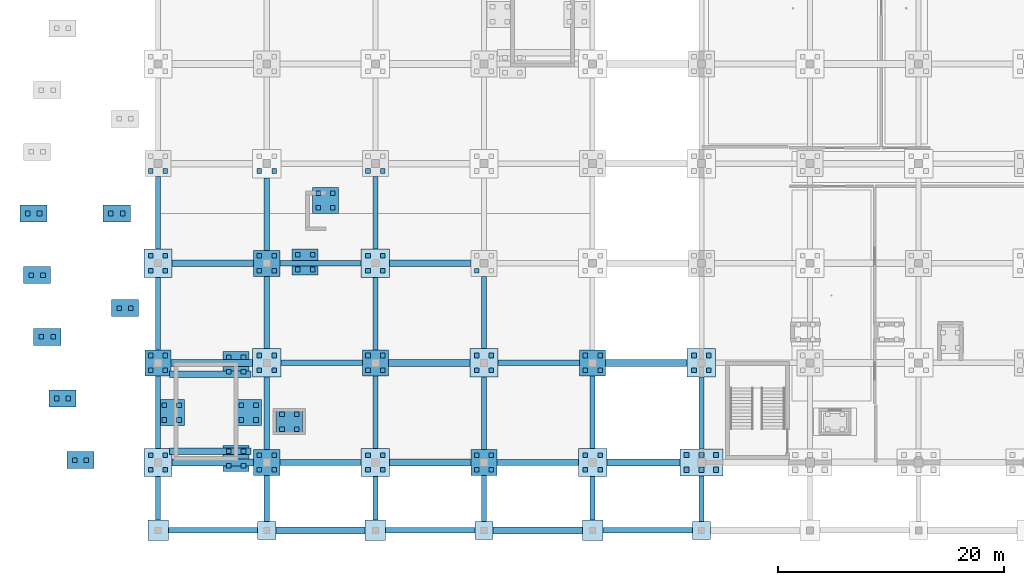
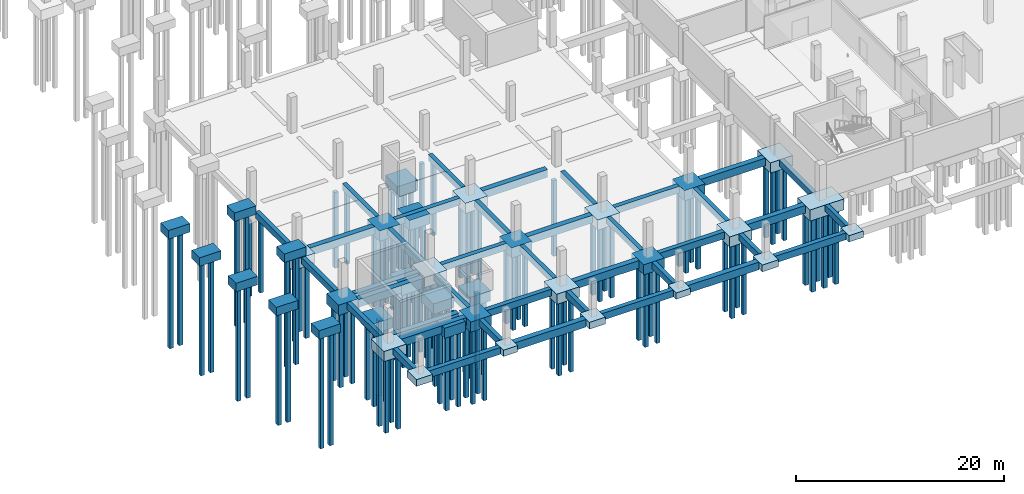
# One storey, part 1 of 31: 111 piles, 74 footings.
"""IFC4 building model written with IfcOpenShell, lengths in metres."""

from ifc_helpers import new_model, si_unit, direction, frame, origin, origin_2d, place, context, subcontext, project, spatial, rectangle, extrude, material, layer, layer_set, material_profile, profile_set, type_object, element, save


model = new_model("IFC4")

# Units and contexts
model_context = context("Model", 3, precision=1e-05, world=origin(), true_north=direction((0.0, 1.0)))
body_context = subcontext(model_context, "Body", "Model", "MODEL_VIEW")
ifc_project = project(units=[si_unit("LENGTHUNIT", "METRE"), si_unit("AREAUNIT", "SQUARE_METRE"), si_unit("VOLUMEUNIT", "CUBIC_METRE"), si_unit("PLANEANGLEUNIT", "RADIAN"), si_unit("MASSUNIT", "GRAM", prefix="KILO")], contexts=[model_context])

# Site, building, storey
site_placement = place(None, origin())
site = spatial("IfcSite", under=ifc_project, at=site_placement, CompositionType="ELEMENT")
building_placement = place(site_placement, origin())
building = spatial("IfcBuilding", under=site, at=building_placement, Name="Chalmorin Arch Market", CompositionType="ELEMENT")
storey_placement = place(building_placement, frame((0.0, 0.0, -4.199951171875)))
storey = spatial("IfcBuildingStorey", under=building, at=storey_placement, Name="B1", CompositionType="ELEMENT", Elevation=-4.199951171875)

# Piles
ifc_material_1 = material(Name="Precast concrete C50/60", Category="concrete")
ifc_material_profile_1 = material_profile(ifc_material_1, rectangle(XDim=0.406005859375, YDim=0.406005859375, at=origin_2d()), Name="PPC406")
ifc_profile_set_1 = profile_set([ifc_material_profile_1], Name="Precast concrete C50/60")
pile_type_1 = type_object("IfcPileType", Name="DrivenSquarePile-406", PredefinedType="DRIVEN", material=ifc_profile_set_1)
for number, where, z_axis, x_axis, name in (
    (1, (-0.64990234375, 5.35009765625, -1.10009765625), (0.0, 0.0, -1.0), (1.0, 0.0, 0.0), "P-406-001"),
    (2, (0.64990234375, 5.35009765625, -1.10009765625), (0.0, 0.0, -1.0), (1.0, 0.0, 0.0), "P-406-002"),
    (3, (-0.64990234375, 6.64990234375, -1.10009765625), (0.0, 0.0, -1.0), (1.0, 0.0, 0.0), "P-406-003"),
    (4, (0.64990234375, 6.64990234375, -1.10009765625), (0.0, 0.0, -1.0), (1.0, 0.0, 0.0), "P-406-004"),
    (5, (-0.64990234375, 14.14990234375, -1.10009765625), (0.0, 0.0, -1.0), (1.0, 0.0, 0.0), "P-406-005"),
    (6, (0.64990234375, 14.14990234375, -1.10009765625), (0.0, 0.0, -1.0), (1.0, 0.0, 0.0), "P-406-006"),
    (7, (-0.64990234375, 15.449951171875, -1.10009765625), (0.0, 0.0, -1.0), (1.0, 0.0, 0.0), "P-406-007"),
    (8, (0.64990234375, 15.449951171875, -1.10009765625), (0.0, 0.0, -1.0), (1.0, 0.0, 0.0), "P-406-008"),
    (9, (-0.64990234375, 22.949951171875, -1.10009765625), (0.0, 0.0, -1.0), (1.0, 0.0, 0.0), "P-406-009"),
    (10, (0.64990234375, 22.949951171875, -1.10009765625), (0.0, 0.0, -1.0), (1.0, 0.0, 0.0), "P-406-010"),
    (11, (-0.64990234375, 24.25, -1.10009765625), (0.0, 0.0, -1.0), (1.0, 0.0, 0.0), "P-406-011"),
    (12, (0.64990234375, 24.25, -1.10009765625), (0.0, 0.0, -1.0), (1.0, 0.0, 0.0), "P-406-012"),
    (13, (-0.64990234375, 31.75, -1.10009765625), (0.0, 0.0, -1.0), (1.0, 0.0, 0.0), "P-406-013"),
    (14, (0.64990234375, 31.75, -1.10009765625), (0.0, 0.0, -1.0), (1.0, 0.0, 0.0), "P-406-014"),
    (15, (8.949951171875, 5.35009765625, -1.10009765625), (0.0, 0.0, -1.0), (1.0, 0.0, 0.0), "P-406-049"),
    (16, (10.25, 5.35009765625, -1.10009765625), (0.0, 0.0, -1.0), (1.0, 0.0, 0.0), "P-406-050"),
    (17, (8.949951171875, 6.64990234375, -1.10009765625), (0.0, 0.0, -1.0), (1.0, 0.0, 0.0), "P-406-051"),
    (18, (10.25, 6.64990234375, -1.10009765625), (0.0, 0.0, -1.0), (1.0, 0.0, 0.0), "P-406-052"),
    (19, (8.949951171875, 14.14990234375, -1.10009765625), (0.0, 0.0, -1.0), (1.0, 0.0, 0.0), "P-406-053"),
    (20, (10.25, 14.14990234375, -1.10009765625), (0.0, 0.0, -1.0), (1.0, 0.0, 0.0), "P-406-054"),
    (21, (8.949951171875, 15.449951171875, -1.10009765625), (0.0, 0.0, -1.0), (1.0, 0.0, 0.0), "P-406-055"),
    (22, (10.25, 15.449951171875, -1.10009765625), (0.0, 0.0, -1.0), (1.0, 0.0, 0.0), "P-406-056"),
    (23, (8.949951171875, 22.949951171875, -1.10009765625), (0.0, 0.0, -1.0), (1.0, 0.0, 0.0), "P-406-057"),
    (24, (10.25, 22.949951171875, -1.10009765625), (0.0, 0.0, -1.0), (1.0, 0.0, 0.0), "P-406-058"),
    (25, (8.949951171875, 24.25, -1.10009765625), (0.0, 0.0, -1.0), (1.0, 0.0, 0.0), "P-406-059"),
    (26, (10.25, 24.25, -1.10009765625), (0.0, 0.0, -1.0), (1.0, 0.0, 0.0), "P-406-060"),
    (27, (8.949951171875, 31.75, -1.10009765625), (0.0, 0.0, -1.0), (1.0, 0.0, 0.0), "P-406-061"),
    (28, (10.25, 31.75, -1.10009765625), (0.0, 0.0, -1.0), (1.0, 0.0, 0.0), "P-406-062"),
    (29, (18.550048828125, 5.35009765625, -1.10009765625), (0.0, 0.0, -1.0), (1.0, 0.0, 0.0), "P-406-097"),
    (30, (19.85009765625, 5.35009765625, -1.10009765625), (0.0, 0.0, -1.0), (1.0, 0.0, 0.0), "P-406-098"),
    (31, (18.550048828125, 6.64990234375, -1.10009765625), (0.0, 0.0, -1.0), (1.0, 0.0, 0.0), "P-406-099"),
    (32, (19.85009765625, 6.64990234375, -1.10009765625), (0.0, 0.0, -1.0), (1.0, 0.0, 0.0), "P-406-100"),
    (33, (18.550048828125, 14.14990234375, -1.10009765625), (0.0, 0.0, -1.0), (1.0, 0.0, 0.0), "P-406-101"),
    (34, (19.85009765625, 14.14990234375, -1.10009765625), (0.0, 0.0, -1.0), (1.0, 0.0, 0.0), "P-406-102"),
    (35, (18.550048828125, 15.449951171875, -1.10009765625), (0.0, 0.0, -1.0), (1.0, 0.0, 0.0), "P-406-103"),
    (36, (19.85009765625, 15.449951171875, -1.10009765625), (0.0, 0.0, -1.0), (1.0, 0.0, 0.0), "P-406-104"),
    (37, (18.550048828125, 22.949951171875, -1.10009765625), (0.0, 0.0, -1.0), (1.0, 0.0, 0.0), "P-406-105"),
    (38, (19.85009765625, 22.949951171875, -1.10009765625), (0.0, 0.0, -1.0), (1.0, 0.0, 0.0), "P-406-106"),
    (39, (18.550048828125, 24.25, -1.10009765625), (0.0, 0.0, -1.0), (1.0, 0.0, 0.0), "P-406-107"),
    (40, (19.85009765625, 24.25, -1.10009765625), (0.0, 0.0, -1.0), (1.0, 0.0, 0.0), "P-406-108"),
    (41, (18.550048828125, 31.75, -1.10009765625), (0.0, 0.0, -1.0), (1.0, 0.0, 0.0), "P-406-109"),
    (42, (19.85009765625, 31.75, -1.10009765625), (0.0, 0.0, -1.0), (1.0, 0.0, 0.0), "P-406-110"),
    (43, (28.14990234375, 5.35009765625, -1.10009765625), (0.0, 0.0, -1.0), (1.0, 0.0, 0.0), "P-406-145"),
    (44, (29.449951171875, 5.35009765625, -1.10009765625), (0.0, 0.0, -1.0), (1.0, 0.0, 0.0), "P-406-146"),
    (45, (28.14990234375, 6.64990234375, -1.10009765625), (0.0, 0.0, -1.0), (1.0, 0.0, 0.0), "P-406-147"),
    (46, (29.449951171875, 6.64990234375, -1.10009765625), (0.0, 0.0, -1.0), (1.0, 0.0, 0.0), "P-406-148"),
    (47, (28.14990234375, 14.14990234375, -1.10009765625), (0.0, 0.0, -1.0), (1.0, 0.0, 0.0), "P-406-149"),
    (48, (29.449951171875, 14.14990234375, -1.10009765625), (0.0, 0.0, -1.0), (1.0, 0.0, 0.0), "P-406-150"),
    (49, (28.14990234375, 15.449951171875, -1.10009765625), (0.0, 0.0, -1.0), (1.0, 0.0, 0.0), "P-406-151"),
    (50, (29.449951171875, 15.449951171875, -1.10009765625), (0.0, 0.0, -1.0), (1.0, 0.0, 0.0), "P-406-152"),
    (51, (28.14990234375, 22.949951171875, -1.10009765625), (0.0, 0.0, -1.0), (1.0, 0.0, 0.0), "P-406-153"),
    (52, (37.75, 5.35009765625, -1.10009765625), (0.0, 0.0, -1.0), (1.0, 0.0, 0.0), "P-406-193"),
    (53, (39.050048828125, 5.35009765625, -1.10009765625), (0.0, 0.0, -1.0), (1.0, 0.0, 0.0), "P-406-194"),
    (54, (37.75, 6.64990234375, -1.10009765625), (0.0, 0.0, -1.0), (1.0, 0.0, 0.0), "P-406-195"),
    (55, (39.050048828125, 6.64990234375, -1.10009765625), (0.0, 0.0, -1.0), (1.0, 0.0, 0.0), "P-406-196"),
    (56, (37.75, 14.14990234375, -1.10009765625), (0.0, 0.0, -1.0), (1.0, 0.0, 0.0), "P-406-197"),
    (57, (39.050048828125, 14.14990234375, -1.10009765625), (0.0, 0.0, -1.0), (1.0, 0.0, 0.0), "P-406-198"),
    (58, (37.75, 15.449951171875, -1.10009765625), (0.0, 0.0, -1.0), (1.0, 0.0, 0.0), "P-406-199"),
    (59, (39.050048828125, 15.449951171875, -1.10009765625), (0.0, 0.0, -1.0), (1.0, 0.0, 0.0), "P-406-200"),
    (60, (47.35009765625, 14.14990234375, -1.10009765625), (0.0, 0.0, -1.0), (1.0, 0.0, 0.0), "P-406-247"),
    (61, (48.64990234375, 14.14990234375, -1.10009765625), (0.0, 0.0, -1.0), (1.0, 0.0, 0.0), "P-406-248"),
    (62, (47.35009765625, 15.449951171875, -1.10009765625), (0.0, 0.0, -1.0), (1.0, 0.0, 0.0), "P-406-249"),
    (63, (48.64990234375, 15.449951171875, -1.10009765625), (0.0, 0.0, -1.0), (1.0, 0.0, 0.0), "P-406-250"),
    (64, (0.550048828125, 9.75, -1.10009765625), (0.0, 0.0, -1.0), (1.0, 0.0, 0.0), "P-406-735"),
    (65, (1.85009765625, 9.75, -1.10009765625), (0.0, 0.0, -1.0), (1.0, 0.0, 0.0), "P-406-736"),
    (66, (0.550048828125, 11.050048828125, -1.10009765625), (0.0, 0.0, -1.0), (1.0, 0.0, 0.0), "P-406-737"),
    (67, (1.85009765625, 11.050048828125, -1.10009765625), (0.0, 0.0, -1.0), (1.0, 0.0, 0.0), "P-406-738"),
    (68, (7.35009765625, 9.75, -1.10009765625), (0.0, 0.0, -1.0), (1.0, 0.0, 0.0), "P-406-739"),
    (69, (8.64990234375, 9.75, -1.10009765625), (0.0, 0.0, -1.0), (1.0, 0.0, 0.0), "P-406-740"),
    (70, (7.35009765625, 11.050048828125, -1.10009765625), (0.0, 0.0, -1.0), (1.0, 0.0, 0.0), "P-406-741"),
    (71, (8.64990234375, 11.050048828125, -1.10009765625), (0.0, 0.0, -1.0), (1.0, 0.0, 0.0), "P-406-742"),
    (72, (10.949951171875, 8.949951171875, -1.10009765625), (0.0, 0.0, -1.0), (1.0, 0.0, 0.0), "P-406-751"),
    (73, (12.25, 8.949951171875, -1.10009765625), (0.0, 0.0, -1.0), (1.0, 0.0, 0.0), "P-406-752"),
    (74, (10.949951171875, 10.25, -1.10009765625), (0.0, 0.0, -1.0), (1.0, 0.0, 0.0), "P-406-753"),
    (75, (12.25, 10.25, -1.10009765625), (0.0, 0.0, -1.0), (1.0, 0.0, 0.0), "P-406-754"),
    (76, (12.35009765625, 23.050048828125, -1.10009765625), (0.0, 0.0, -1.0), (1.0, 0.0, 0.0), "P-406-755"),
    (77, (13.64990234375, 23.050048828125, -1.10009765625), (0.0, 0.0, -1.0), (1.0, 0.0, 0.0), "P-406-756"),
    (78, (12.35009765625, 24.35009765625, -1.10009765625), (0.0, 0.0, -1.0), (1.0, 0.0, 0.0), "P-406-757"),
    (79, (13.64990234375, 24.35009765625, -1.10009765625), (0.0, 0.0, -1.0), (1.0, 0.0, 0.0), "P-406-758"),
    (80, (14.14990234375, 28.5, -1.10009765625), (0.0, 0.0, -1.0), (1.0, 0.0, 0.0), "P-406-759"),
    (81, (15.449951171875, 28.5, -1.10009765625), (0.0, 0.0, -1.0), (1.0, 0.0, 0.0), "P-406-760"),
    (82, (14.14990234375, 29.800048828125, -1.10009765625), (0.0, 0.0, -1.0), (1.0, 0.0, 0.0), "P-406-761"),
    (83, (15.449951171875, 29.800048828125, -1.10009765625), (0.0, 0.0, -1.0), (1.0, 0.0, 0.0), "P-406-762"),
):
    element("IfcPile", number, at=place(storey_placement, frame(where, z_axis=z_axis, x_axis=x_axis)), inside=storey, type_object=pile_type_1, Name=name, PredefinedType="DRIVEN", context=body_context, shape_type="SweptSolid", body=[
        extrude(rectangle(XDim=0.406005859375, YDim=0.406005859375, at=origin_2d()), origin(), (0.0, 0.0, 1.0), 8.89990234375),
    ])
for number, where, z_axis, x_axis, name in (
    (84, (-3.444091796875, 19.639892578125, 2.97998046875), (0.0, 0.0, -1.0), (1.0, 0.0, 0.0), "P-406-791"),
    (85, (-2.404052734375, 19.639892578125, 2.97998046875), (0.0, 0.0, -1.0), (1.0, 0.0, 0.0), "P-406-792"),
    (86, (-4.169921875, 28.0, 2.97998046875), (0.0, 0.0, -1.0), (1.0, 0.0, 0.0), "P-406-795"),
    (87, (-3.1298828125, 28.0, 2.97998046875), (0.0, 0.0, -1.0), (1.0, 0.0, 0.0), "P-406-796"),
):
    element("IfcPile", number, at=place(storey_placement, frame(where, z_axis=z_axis, x_axis=x_axis)), inside=storey, type_object=pile_type_1, Name=name, PredefinedType="DRIVEN", context=body_context, shape_type="SweptSolid", body=[
        extrude(rectangle(XDim=0.406005859375, YDim=0.406005859375, at=origin_2d()), origin(), (0.0, 0.0, 1.0), 12.97998046875),
    ])
for number, where, z_axis, x_axis, name in (
    (88, (-7.3798828125, 6.199951171875, 3.47998046875), (0.0, 0.0, -1.0), (1.0, 0.0, 0.0), "P-406-879"),
    (89, (-6.340087890625, 6.199951171875, 3.47998046875), (0.0, 0.0, -1.0), (1.0, 0.0, 0.0), "P-406-880"),
    (90, (-8.968994140625, 11.64990234375, 3.47998046875), (0.0, 0.0, -1.0), (1.0, 0.0, 0.0), "P-406-881"),
    (91, (-7.928955078125, 11.64990234375, 3.47998046875), (0.0, 0.0, -1.0), (1.0, 0.0, 0.0), "P-406-882"),
    (92, (-10.31103515625, 17.10009765625, 3.47998046875), (0.0, 0.0, -1.0), (1.0, 0.0, 0.0), "P-406-883"),
    (93, (-9.27099609375, 17.10009765625, 3.47998046875), (0.0, 0.0, -1.0), (1.0, 0.0, 0.0), "P-406-884"),
    (94, (-11.2060546875, 22.550048828125, 3.47998046875), (0.0, 0.0, -1.0), (1.0, 0.0, 0.0), "P-406-885"),
    (95, (-10.166015625, 22.550048828125, 3.47998046875), (0.0, 0.0, -1.0), (1.0, 0.0, 0.0), "P-406-886"),
    (96, (-11.52001953125, 28.0, 3.47998046875), (0.0, 0.0, -1.0), (1.0, 0.0, 0.0), "P-406-887"),
    (97, (-10.47998046875, 28.0, 3.47998046875), (0.0, 0.0, -1.0), (1.0, 0.0, 0.0), "P-406-888"),
):
    element("IfcPile", number, at=place(storey_placement, frame(where, z_axis=z_axis, x_axis=x_axis)), inside=storey, type_object=pile_type_1, Name=name, PredefinedType="DRIVEN", context=body_context, shape_type="SweptSolid", body=[
        extrude(rectangle(XDim=0.406005859375, YDim=0.406005859375, at=origin_2d()), origin(), (0.0, 0.0, 1.0), 13.47998046875),
    ])
for number, where, z_axis, x_axis, name in (
    (98, (6.25, 5.699951171875, -1.10009765625), (0.0, 0.0, -1.0), (1.0, 0.0, 0.0), "P-406-921"),
    (99, (7.550048828125, 5.699951171875, -1.10009765625), (0.0, 0.0, -1.0), (1.0, 0.0, 0.0), "P-406-922"),
    (100, (6.25, 7.0, -1.10009765625), (0.0, 0.0, -1.0), (1.0, 0.0, 0.0), "P-406-923"),
    (101, (7.550048828125, 7.0, -1.10009765625), (0.0, 0.0, -1.0), (1.0, 0.0, 0.0), "P-406-924"),
    (102, (6.25, 14.0, -1.10009765625), (0.0, 0.0, -1.0), (1.0, 0.0, 0.0), "P-406-925"),
    (103, (7.550048828125, 14.0, -1.10009765625), (0.0, 0.0, -1.0), (1.0, 0.0, 0.0), "P-406-926"),
    (104, (6.25, 15.300048828125, -1.10009765625), (0.0, 0.0, -1.0), (1.0, 0.0, 0.0), "P-406-927"),
    (105, (7.550048828125, 15.300048828125, -1.10009765625), (0.0, 0.0, -1.0), (1.0, 0.0, 0.0), "P-406-928"),
):
    element("IfcPile", number, at=place(storey_placement, frame(where, z_axis=z_axis, x_axis=x_axis)), inside=storey, type_object=pile_type_1, Name=name, PredefinedType="DRIVEN", context=body_context, shape_type="SweptSolid", body=[
        extrude(rectangle(XDim=0.406005859375, YDim=0.406005859375, at=origin_2d()), origin(), (0.0, 0.0, 1.0), 8.89990234375),
    ])
ifc_material_profile_2 = material_profile(ifc_material_1, rectangle(XDim=0.45703125, YDim=0.45703125, at=origin_2d()), Name="PPC457")
ifc_profile_set_2 = profile_set([ifc_material_profile_2], Name="Precast concrete C50/60")
pile_type_2 = type_object("IfcPileType", Name="DrivenSquarePile-457", PredefinedType="DRIVEN", material=ifc_profile_set_2)
for number, where, z_axis, x_axis, name in (
    (106, (46.699951171875, 5.35009765625, -1.199951171875), (0.0, 0.0, -1.0), (1.0, 0.0, 0.0), "P-457-241"),
    (107, (48.0, 5.35009765625, -1.199951171875), (0.0, 0.0, -1.0), (1.0, 0.0, 0.0), "P-457-242"),
    (108, (49.300048828125, 5.35009765625, -1.199951171875), (0.0, 0.0, -1.0), (1.0, 0.0, 0.0), "P-457-243"),
    (109, (46.699951171875, 6.64990234375, -1.199951171875), (0.0, 0.0, -1.0), (1.0, 0.0, 0.0), "P-457-244"),
    (110, (48.0, 6.64990234375, -1.199951171875), (0.0, 0.0, -1.0), (1.0, 0.0, 0.0), "P-457-245"),
    (111, (49.300048828125, 6.64990234375, -1.199951171875), (0.0, 0.0, -1.0), (1.0, 0.0, 0.0), "P-457-246"),
):
    element("IfcPile", number, at=place(storey_placement, frame(where, z_axis=z_axis, x_axis=x_axis)), inside=storey, type_object=pile_type_2, Name=name, PredefinedType="DRIVEN", context=body_context, shape_type="SweptSolid", body=[
        extrude(rectangle(XDim=0.45703125, YDim=0.45703125, at=origin_2d()), origin(), (0.0, 0.0, 1.0), 8.800048828125),
    ])

# Footings
ifc_material_2 = material(Name="Concrete C40/50", Category="concrete")
ifc_layer_1 = layer(ifc_material_2, 0.75)
ifc_layer_set_1 = layer_set([ifc_layer_1], Name="Concrete C40/50")
footing_type_1 = type_object("IfcFootingType", Name="FoundationTieBeam-450x750-L3850", PredefinedType="FOOTING_BEAM", material=ifc_layer_set_1)
for number, where, z_axis, x_axis, name in (
    (112, (0.0, 2.824951171875, -0.75), (0.0, 0.0, 1.0), (0.0, 1.0, 0.0), "FTB-03-178"),
    (113, (19.199951171875, 2.824951171875, -0.75), (0.0, 0.0, 1.0), (0.0, 1.0, 0.0), "FTB-03-200"),
    (114, (38.39990234375, 2.824951171875, -0.75), (0.0, 0.0, 1.0), (0.0, 1.0, 0.0), "FTB-03-222"),
):
    element("IfcFooting", number, at=place(storey_placement, frame(where, z_axis=z_axis, x_axis=x_axis)), inside=storey, type_object=footing_type_1, Name=name, PredefinedType="FOOTING_BEAM", context=body_context, shape_type="SweptSolid", body=[
        extrude(rectangle(XDim=3.85009765625, YDim=0.449951171875, at=origin_2d()), origin(), (0.0, 0.0, 1.0), 0.75),
    ])
ifc_layer_2 = layer(ifc_material_2, 0.75)
ifc_layer_set_2 = layer_set([ifc_layer_2], Name="Concrete C40/50")
footing_type_2 = type_object("IfcFootingType", Name="FoundationTieBeam-450x750-L4000", PredefinedType="FOOTING_BEAM", material=ifc_layer_set_2)
footing_1_placement = place(storey_placement, frame((48.0, 2.800048828125, -0.75), z_axis=(0.0, 0.0, 1.0), x_axis=(0.0, 1.0, 0.0)))
element("IfcFooting", 115, at=footing_1_placement, inside=storey, type_object=footing_type_2, Name="FTB-03-233", PredefinedType="FOOTING_BEAM", context=body_context, shape_type="SweptSolid", body=[
    extrude(rectangle(XDim=4.0, YDim=0.449951171875, at=origin_2d()), origin(), (0.0, 0.0, 1.0), 0.75),
])
ifc_layer_3 = layer(ifc_material_2, 0.75)
ifc_layer_set_3 = layer_set([ifc_layer_3], Name="Concrete C40/50")
footing_type_3 = type_object("IfcFootingType", Name="FoundationTieBeam-450x750-L4050", PredefinedType="FOOTING_BEAM", material=ifc_layer_set_3)
for number, where, z_axis, x_axis, name in (
    (116, (9.60009765625, 2.824951171875, -0.75), (0.0, 0.0, 1.0), (0.0, 1.0, 0.0), "FTB-03-189"),
    (117, (28.800048828125, 2.824951171875, -0.75), (0.0, 0.0, 1.0), (0.0, 1.0, 0.0), "FTB-03-211"),
):
    element("IfcFooting", number, at=place(storey_placement, frame(where, z_axis=z_axis, x_axis=x_axis)), inside=storey, type_object=footing_type_3, Name=name, PredefinedType="FOOTING_BEAM", context=body_context, shape_type="SweptSolid", body=[
        extrude(rectangle(XDim=4.050048828125, YDim=0.449951171875, at=origin_2d()), origin(), (0.0, 0.0, 1.0), 0.75),
    ])
ifc_layer_4 = layer(ifc_material_2, 0.75)
ifc_layer_set_4 = layer_set([ifc_layer_4], Name="Concrete C40/50")
footing_type_4 = type_object("IfcFootingType", Name="FoundationTieBeam-450x750-L6350", PredefinedType="FOOTING_BEAM", material=ifc_layer_set_4)
footing_2_placement = place(storey_placement, frame((48.0, 10.375, -0.75), z_axis=(0.0, 0.0, 1.0), x_axis=(0.0, 1.0, 0.0)))
element("IfcFooting", 118, at=footing_2_placement, inside=storey, type_object=footing_type_4, Name="FTB-03-234", PredefinedType="FOOTING_BEAM", context=body_context, shape_type="SweptSolid", body=[
    extrude(rectangle(XDim=6.35009765625, YDim=0.449951171875, at=origin_2d()), origin(), (0.0, 0.0, 1.0), 0.75),
])
ifc_layer_5 = layer(ifc_material_2, 0.75)
ifc_layer_set_5 = layer_set([ifc_layer_5], Name="Concrete C40/50")
footing_type_5 = type_object("IfcFootingType", Name="FoundationTieBeam-450x750-L6400", PredefinedType="FOOTING_BEAM", material=ifc_layer_set_5)
for number, where, z_axis, x_axis, name in (
    (119, (0.0, 10.449951171875, -0.75), (0.0, 0.0, 1.0), (0.0, 1.0, 0.0), "FTB-03-179"),
    (120, (0.0, 19.14990234375, -0.75), (0.0, 0.0, 1.0), (0.0, 1.0, 0.0), "FTB-03-180"),
    (121, (0.0, 28.050048828125, -0.75), (0.0, 0.0, 1.0), (0.0, 1.0, 0.0), "FTB-03-181"),
    (122, (9.60009765625, 10.35009765625, -0.75), (0.0, 0.0, 1.0), (0.0, 1.0, 0.0), "FTB-03-190"),
    (123, (9.60009765625, 19.25, -0.75), (0.0, 0.0, 1.0), (0.0, 1.0, 0.0), "FTB-03-191"),
    (124, (9.60009765625, 27.949951171875, -0.75), (0.0, 0.0, 1.0), (0.0, 1.0, 0.0), "FTB-03-192"),
    (125, (19.199951171875, 10.449951171875, -0.75), (0.0, 0.0, 1.0), (0.0, 1.0, 0.0), "FTB-03-201"),
    (126, (19.199951171875, 19.14990234375, -0.75), (0.0, 0.0, 1.0), (0.0, 1.0, 0.0), "FTB-03-202"),
    (127, (19.199951171875, 28.050048828125, -0.75), (0.0, 0.0, 1.0), (0.0, 1.0, 0.0), "FTB-03-203"),
    (128, (28.800048828125, 10.35009765625, -0.75), (0.0, 0.0, 1.0), (0.0, 1.0, 0.0), "FTB-03-212"),
    (129, (28.800048828125, 19.25, -0.75), (0.0, 0.0, 1.0), (0.0, 1.0, 0.0), "FTB-03-213"),
    (130, (38.39990234375, 10.449951171875, -0.75), (0.0, 0.0, 1.0), (0.0, 1.0, 0.0), "FTB-03-223"),
):
    element("IfcFooting", number, at=place(storey_placement, frame(where, z_axis=z_axis, x_axis=x_axis)), inside=storey, type_object=footing_type_5, Name=name, PredefinedType="FOOTING_BEAM", context=body_context, shape_type="SweptSolid", body=[
        extrude(rectangle(XDim=6.39990234375, YDim=0.449951171875, at=origin_2d()), origin(), (0.0, 0.0, 1.0), 0.75),
    ])
ifc_layer_6 = layer(ifc_material_2, 0.800048828125)
ifc_layer_set_6 = layer_set([ifc_layer_6], Name="Concrete C40/50")
footing_type_6 = type_object("IfcFootingType", Name="FoundationTieBeam-500x800-L7200", PredefinedType="FOOTING_BEAM", material=ifc_layer_set_6)
for number, where, z_axis, x_axis, name in (
    (131, (14.35009765625, 6.0, -0.80029296875), (0.0, 0.0, 1.0), (1.0, 0.0, 0.0), "FTB-02-015"),
    (132, (33.550048828125, 6.0, -0.80029296875), (0.0, 0.0, 1.0), (1.0, 0.0, 0.0), "FTB-02-017"),
    (133, (14.449951171875, 14.800048828125, -0.80029296875), (0.0, 0.0, 1.0), (1.0, 0.0, 0.0), "FTB-02-029"),
    (134, (33.64990234375, 14.800048828125, -0.80029296875), (0.0, 0.0, 1.0), (1.0, 0.0, 0.0), "FTB-02-031"),
    (135, (14.35009765625, 23.60009765625, -0.80029296875), (0.0, 0.0, 1.0), (1.0, 0.0, 0.0), "FTB-02-043"),
):
    element("IfcFooting", number, at=place(storey_placement, frame(where, z_axis=z_axis, x_axis=x_axis)), inside=storey, type_object=footing_type_6, Name=name, PredefinedType="FOOTING_BEAM", context=body_context, shape_type="SweptSolid", body=[
        extrude(rectangle(XDim=7.199951171875, YDim=0.5, at=origin_2d()), origin(), (0.0, 0.0, 1.0), 0.800048828125),
    ])
ifc_layer_7 = layer(ifc_material_2, 0.800048828125)
ifc_layer_set_7 = layer_set([ifc_layer_7], Name="Concrete C40/50")
footing_type_7 = type_object("IfcFootingType", Name="FoundationTieBeam-500x800-L7900", PredefinedType="FOOTING_BEAM", material=ifc_layer_set_7)
for number, where, z_axis, x_axis, name in (
    (136, (4.85009765625, 0.0, -0.80029296875), (0.0, 0.0, 1.0), (1.0, 0.0, 0.0), "FTB-02-001"),
    (137, (24.050048828125, 0.0, -0.80029296875), (0.0, 0.0, 1.0), (1.0, 0.0, 0.0), "FTB-02-003"),
    (138, (43.25, 0.0, -0.80029296875), (0.0, 0.0, 1.0), (1.0, 0.0, 0.0), "FTB-02-005"),
):
    element("IfcFooting", number, at=place(storey_placement, frame(where, z_axis=z_axis, x_axis=x_axis)), inside=storey, type_object=footing_type_7, Name=name, PredefinedType="FOOTING_BEAM", context=body_context, shape_type="SweptSolid", body=[
        extrude(rectangle(XDim=7.89990234375, YDim=0.5, at=origin_2d()), origin(), (0.0, 0.0, 1.0), 0.800048828125),
    ])
ifc_layer_8 = layer(ifc_material_2, 0.89990234375)
ifc_layer_set_8 = layer_set([ifc_layer_8], Name="Concrete C40/50")
footing_type_8 = type_object("IfcFootingType", Name="FoundationTieBeam-600x900-L6450", PredefinedType="FOOTING_BEAM", material=ifc_layer_set_8)
footing_3_placement = place(storey_placement, frame((42.875, 6.0, -0.89990234375), z_axis=(0.0, 0.0, 1.0), x_axis=(1.0, 0.0, 0.0)))
element("IfcFooting", 139, at=footing_3_placement, inside=storey, type_object=footing_type_8, Name="FTB-01-018", PredefinedType="FOOTING_BEAM", context=body_context, shape_type="SweptSolid", body=[
    extrude(rectangle(XDim=6.449951171875, YDim=0.60009765625, at=origin_2d()), origin(), (0.0, 0.0, 1.0), 0.89990234375),
])
ifc_layer_9 = layer(ifc_material_2, 0.89990234375)
ifc_layer_set_9 = layer_set([ifc_layer_9], Name="Concrete C40/50")
footing_type_9 = type_object("IfcFootingType", Name="FoundationTieBeam-600x900-L7200", PredefinedType="FOOTING_BEAM", material=ifc_layer_set_9)
for number, where, z_axis, x_axis, name in (
    (140, (4.85009765625, 6.0, -0.89990234375), (0.0, 0.0, 1.0), (1.0, 0.0, 0.0), "FTB-01-014"),
    (141, (24.050048828125, 6.0, -0.89990234375), (0.0, 0.0, 1.0), (1.0, 0.0, 0.0), "FTB-01-016"),
    (142, (4.75, 14.800048828125, -0.89990234375), (0.0, 0.0, 1.0), (1.0, 0.0, 0.0), "FTB-01-028"),
    (143, (23.949951171875, 14.800048828125, -0.89990234375), (0.0, 0.0, 1.0), (1.0, 0.0, 0.0), "FTB-01-030"),
    (144, (43.14990234375, 14.800048828125, -0.89990234375), (0.0, 0.0, 1.0), (1.0, 0.0, 0.0), "FTB-01-032"),
    (145, (4.85009765625, 23.60009765625, -0.89990234375), (0.0, 0.0, 1.0), (1.0, 0.0, 0.0), "FTB-01-042"),
    (146, (24.050048828125, 23.60009765625, -0.89990234375), (0.0, 0.0, 1.0), (1.0, 0.0, 0.0), "FTB-01-044"),
    (147, (4.60009765625, 7.0, -0.89990234375), (0.0, 0.0, 1.0), (1.0, 0.0, 0.0), "FTB-01-352"),
    (148, (4.60009765625, 13.800048828125, -0.89990234375), (0.0, 0.0, 1.0), (1.0, 0.0, 0.0), "FTB-01-353"),
):
    element("IfcFooting", number, at=place(storey_placement, frame(where, z_axis=z_axis, x_axis=x_axis)), inside=storey, type_object=footing_type_9, Name=name, PredefinedType="FOOTING_BEAM", context=body_context, shape_type="SweptSolid", body=[
        extrude(rectangle(XDim=7.199951171875, YDim=0.60009765625, at=origin_2d()), origin(), (0.0, 0.0, 1.0), 0.89990234375),
    ])
ifc_layer_10 = layer(ifc_material_2, 0.89990234375)
ifc_layer_set_10 = layer_set([ifc_layer_10], Name="Concrete C40/50")
footing_type_10 = type_object("IfcFootingType", Name="FoundationTieBeam-600x900-L7900", PredefinedType="FOOTING_BEAM", material=ifc_layer_set_10)
for number, where, z_axis, x_axis, name in (
    (149, (14.35009765625, 0.0, -0.89990234375), (0.0, 0.0, 1.0), (1.0, 0.0, 0.0), "FTB-01-002"),
    (150, (33.550048828125, 0.0, -0.89990234375), (0.0, 0.0, 1.0), (1.0, 0.0, 0.0), "FTB-01-004"),
):
    element("IfcFooting", number, at=place(storey_placement, frame(where, z_axis=z_axis, x_axis=x_axis)), inside=storey, type_object=footing_type_10, Name=name, PredefinedType="FOOTING_BEAM", context=body_context, shape_type="SweptSolid", body=[
        extrude(rectangle(XDim=7.89990234375, YDim=0.60009765625, at=origin_2d()), origin(), (0.0, 0.0, 1.0), 0.89990234375),
    ])
ifc_layer_11 = layer(ifc_material_2, 1.199951171875)
ifc_layer_set_11 = layer_set([ifc_layer_11], Name="Concrete C40/50")
footing_type_11 = type_object("IfcFootingType", Name="MultiPileCap-2300x2300x1200", PredefinedType="PILE_CAP", material=ifc_layer_set_11)
for number, where, z_axis, x_axis, name in (
    (151, (0.0, 14.800048828125, -1.2001953125), (0.0, 0.0, 1.0), (1.0, 0.0, 0.0), "PC-02-003"),
    (152, (9.60009765625, 6.0, -1.2001953125), (0.0, 0.0, 1.0), (1.0, 0.0, 0.0), "PC-02-015"),
    (153, (9.60009765625, 23.60009765625, -1.2001953125), (0.0, 0.0, 1.0), (1.0, 0.0, 0.0), "PC-02-017"),
    (154, (19.199951171875, 14.800048828125, -1.2001953125), (0.0, 0.0, 1.0), (1.0, 0.0, 0.0), "PC-02-029"),
    (155, (28.800048828125, 6.0, -1.2001953125), (0.0, 0.0, 1.0), (1.0, 0.0, 0.0), "PC-02-041"),
    (156, (38.39990234375, 14.800048828125, -1.2001953125), (0.0, 0.0, 1.0), (1.0, 0.0, 0.0), "PC-02-055"),
    (157, (1.199951171875, 10.39990234375, -1.2001953125), (0.0, 0.0, 1.0), (1.0, 0.0, 0.0), "PC-02-193"),
    (158, (8.0, 10.39990234375, -1.2001953125), (0.0, 0.0, 1.0), (1.0, 0.0, 0.0), "PC-02-194"),
    (159, (11.60009765625, 9.60009765625, -1.2001953125), (0.0, 0.0, 1.0), (1.0, 0.0, 0.0), "PC-02-197"),
    (160, (13.0, 23.699951171875, -1.2001953125), (0.0, 0.0, 1.0), (1.0, 0.0, 0.0), "PC-02-198"),
    (161, (14.800048828125, 29.14990234375, -1.2001953125), (0.0, 0.0, 1.0), (1.0, 0.0, 0.0), "PC-02-199"),
    (162, (6.89990234375, 6.35009765625, -1.2001953125), (0.0, 0.0, 1.0), (1.0, 0.0, 0.0), "PC-02-270"),
    (163, (6.89990234375, 14.64990234375, -1.2001953125), (0.0, 0.0, 1.0), (1.0, 0.0, 0.0), "PC-02-271"),
):
    element("IfcFooting", number, at=place(storey_placement, frame(where, z_axis=z_axis, x_axis=x_axis)), inside=storey, type_object=footing_type_11, Name=name, PredefinedType="PILE_CAP", context=body_context, shape_type="SweptSolid", body=[
        extrude(rectangle(XDim=2.300048828125, YDim=2.300048828125, at=origin_2d()), origin(), (0.0, 0.0, 1.0), 1.199951171875),
    ])
ifc_layer_12 = layer(ifc_material_2, 1.0)
ifc_layer_set_12 = layer_set([ifc_layer_12], Name="Concrete C40/50")
footing_type_12 = type_object("IfcFootingType", Name="MultiPileCap-2400x1500x1000", PredefinedType="PILE_CAP", material=ifc_layer_set_12)
for number, where, z_axis, x_axis, name in (
    (164, (-2.924072265625, 19.639892578125, 2.8798828125), (0.0, 0.0, 1.0), (1.0, 0.0, 0.0), "PC-05-207"),
    (165, (-3.64990234375, 28.0, 2.8798828125), (0.0, 0.0, 1.0), (1.0, 0.0, 0.0), "PC-05-209"),
    (166, (-6.860107421875, 6.199951171875, 3.3798828125), (0.0, 0.0, 1.0), (1.0, 0.0, 0.0), "PC-05-251"),
    (167, (-8.448974609375, 11.64990234375, 3.3798828125), (0.0, 0.0, 1.0), (1.0, 0.0, 0.0), "PC-05-252"),
    (168, (-9.791015625, 17.10009765625, 3.3798828125), (0.0, 0.0, 1.0), (1.0, 0.0, 0.0), "PC-05-253"),
    (169, (-10.68603515625, 22.550048828125, 3.3798828125), (0.0, 0.0, 1.0), (1.0, 0.0, 0.0), "PC-05-254"),
    (170, (-11.0, 28.0, 3.3798828125), (0.0, 0.0, 1.0), (1.0, 0.0, 0.0), "PC-05-255"),
):
    element("IfcFooting", number, at=place(storey_placement, frame(where, z_axis=z_axis, x_axis=x_axis)), inside=storey, type_object=footing_type_12, Name=name, PredefinedType="PILE_CAP", context=body_context, shape_type="SweptSolid", body=[
        extrude(rectangle(XDim=2.39990234375, YDim=1.5, at=origin_2d()), origin(), (0.0, 0.0, 1.0), 1.0),
    ])
ifc_layer_13 = layer(ifc_material_2, 1.199951171875)
ifc_layer_set_13 = layer_set([ifc_layer_13], Name="Concrete C40/50")
footing_type_13 = type_object("IfcFootingType", Name="MultiPileCap-2500x2500x1200", PredefinedType="PILE_CAP", material=ifc_layer_set_13)
for number, where, z_axis, x_axis, name in (
    (171, (0.0, 6.0, -1.2001953125), (0.0, 0.0, 1.0), (1.0, 0.0, 0.0), "PC-01-002"),
    (172, (0.0, 23.60009765625, -1.2001953125), (0.0, 0.0, 1.0), (1.0, 0.0, 0.0), "PC-01-004"),
    (173, (9.60009765625, 14.800048828125, -1.2001953125), (0.0, 0.0, 1.0), (1.0, 0.0, 0.0), "PC-01-016"),
    (174, (19.199951171875, 6.0, -1.2001953125), (0.0, 0.0, 1.0), (1.0, 0.0, 0.0), "PC-01-028"),
    (175, (19.199951171875, 23.60009765625, -1.2001953125), (0.0, 0.0, 1.0), (1.0, 0.0, 0.0), "PC-01-030"),
    (176, (28.800048828125, 14.800048828125, -1.2001953125), (0.0, 0.0, 1.0), (1.0, 0.0, 0.0), "PC-01-042"),
    (177, (38.39990234375, 6.0, -1.2001953125), (0.0, 0.0, 1.0), (1.0, 0.0, 0.0), "PC-01-054"),
    (178, (48.0, 14.800048828125, -1.2001953125), (0.0, 0.0, 1.0), (1.0, 0.0, 0.0), "PC-01-068"),
):
    element("IfcFooting", number, at=place(storey_placement, frame(where, z_axis=z_axis, x_axis=x_axis)), inside=storey, type_object=footing_type_13, Name=name, PredefinedType="PILE_CAP", context=body_context, shape_type="SweptSolid", body=[
        extrude(rectangle(XDim=2.5, YDim=2.5, at=origin_2d()), origin(), (0.0, 0.0, 1.0), 1.199951171875),
    ])
ifc_layer_14 = layer(ifc_material_2, 1.300048828125)
ifc_layer_set_14 = layer_set([ifc_layer_14], Name="Concrete C40/50")
footing_type_14 = type_object("IfcFootingType", Name="MultiPileCap-3800x2400x1300", PredefinedType="PILE_CAP", material=ifc_layer_set_14)
footing_4_placement = place(storey_placement, frame((48.0, 6.0, -1.30029296875), z_axis=(0.0, 0.0, 1.0), x_axis=(1.0, 0.0, 0.0)))
element("IfcFooting", 179, at=footing_4_placement, inside=storey, type_object=footing_type_14, Name="PC-06-067", PredefinedType="PILE_CAP", context=body_context, shape_type="SweptSolid", body=[
    extrude(rectangle(XDim=3.800048828125, YDim=2.39990234375, at=origin_2d()), origin(), (0.0, 0.0, 1.0), 1.300048828125),
])
ifc_layer_15 = layer(ifc_material_2, 0.75)
ifc_layer_set_15 = layer_set([ifc_layer_15], Name="Concrete C40/50")
footing_type_15 = type_object("IfcFootingType", Name="SpreadPadFooting-1600x1600x750", PredefinedType="PAD_FOOTING", material=ifc_layer_set_15)
for number, where, z_axis, x_axis, name in (
    (180, (9.60009765625, 0.0, -0.75), (0.0, 0.0, 1.0), (1.0, 0.0, 0.0), "PF-02-014"),
    (181, (28.800048828125, 0.0, -0.75), (0.0, 0.0, 1.0), (1.0, 0.0, 0.0), "PF-02-040"),
    (182, (48.0, 0.0, -0.75), (0.0, 0.0, 1.0), (1.0, 0.0, 0.0), "PF-02-066"),
):
    element("IfcFooting", number, at=place(storey_placement, frame(where, z_axis=z_axis, x_axis=x_axis)), inside=storey, type_object=footing_type_15, Name=name, PredefinedType="PAD_FOOTING", context=body_context, shape_type="SweptSolid", body=[
        extrude(rectangle(XDim=1.60009765625, YDim=1.60009765625, at=origin_2d()), origin(), (0.0, 0.0, 1.0), 0.75),
    ])
ifc_layer_16 = layer(ifc_material_2, 0.800048828125)
ifc_layer_set_16 = layer_set([ifc_layer_16], Name="Concrete C40/50")
footing_type_16 = type_object("IfcFootingType", Name="SpreadPadFooting-1800x1800x800", PredefinedType="PAD_FOOTING", material=ifc_layer_set_16)
for number, where, z_axis, x_axis, name in (
    (183, (0.0, 0.0, -0.80029296875), (0.0, 0.0, 1.0), (1.0, 0.0, 0.0), "PF-01-001"),
    (184, (19.199951171875, 0.0, -0.80029296875), (0.0, 0.0, 1.0), (1.0, 0.0, 0.0), "PF-01-027"),
    (185, (38.39990234375, 0.0, -0.80029296875), (0.0, 0.0, 1.0), (1.0, 0.0, 0.0), "PF-01-053"),
):
    element("IfcFooting", number, at=place(storey_placement, frame(where, z_axis=z_axis, x_axis=x_axis)), inside=storey, type_object=footing_type_16, Name=name, PredefinedType="PAD_FOOTING", context=body_context, shape_type="SweptSolid", body=[
        extrude(rectangle(XDim=1.800048828125, YDim=1.800048828125, at=origin_2d()), origin(), (0.0, 0.0, 1.0), 0.800048828125),
    ])

save(model, "model.ifc")
